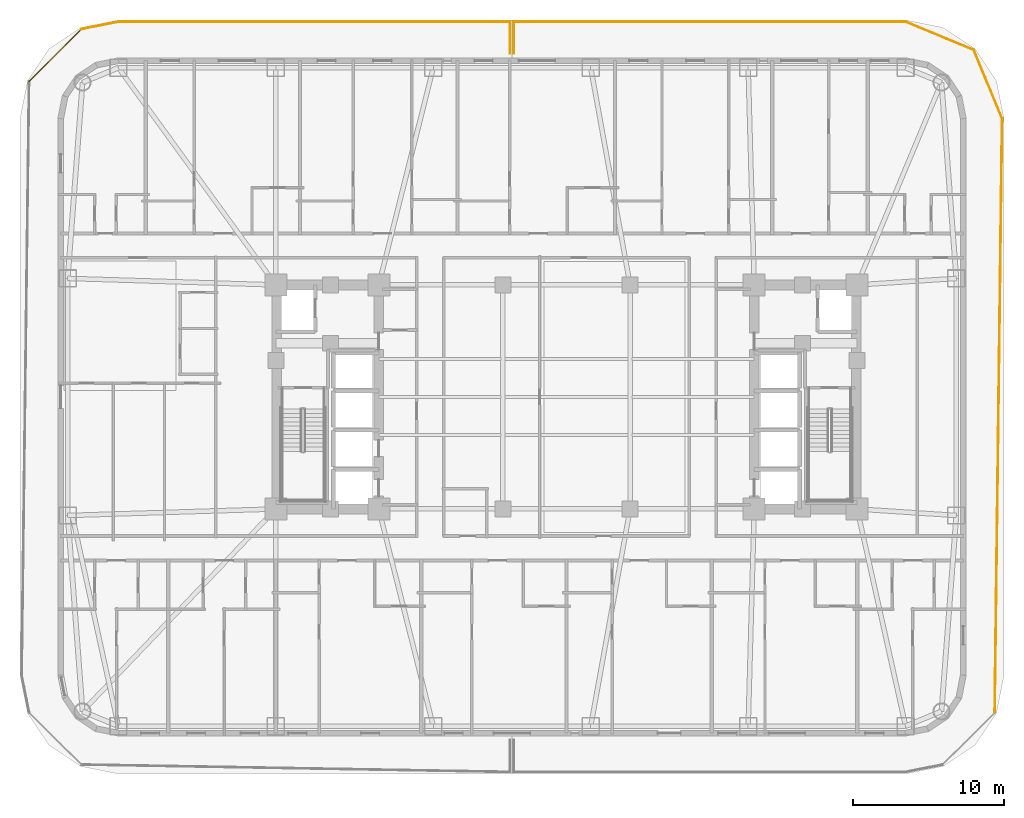
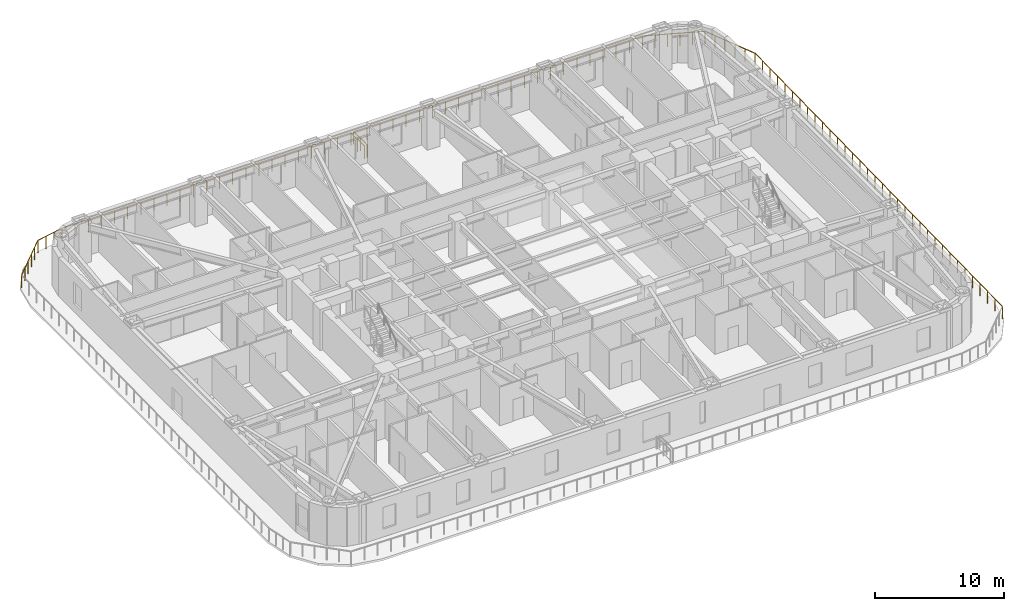
# One storey, part 14 of 14: 9 railings.
"""IFC4 building model written with IfcOpenShell, lengths in metres."""

from ifc_helpers import new_model, si_unit, direction, frame, origin, origin_2d, place, context, subcontext, project, spatial, circle, extrude, material, type_object, element, save


model = new_model("IFC4")

# Units and contexts
model_context = context("Model", 3, precision=1e-05, world=origin(), true_north=direction((0.0, 1.0)))
body_context = subcontext(model_context, "Body", "Model", "MODEL_VIEW")
ifc_project = project(units=[si_unit("LENGTHUNIT", "METRE"), si_unit("AREAUNIT", "SQUARE_METRE"), si_unit("VOLUMEUNIT", "CUBIC_METRE"), si_unit("PLANEANGLEUNIT", "RADIAN"), si_unit("MASSUNIT", "GRAM", prefix="KILO")], contexts=[model_context])

# Site, building, storey
site_placement = place(None, origin())
site = spatial("IfcSite", under=ifc_project, at=site_placement, CompositionType="ELEMENT")
building_placement = place(site_placement, origin())
building = spatial("IfcBuilding", under=site, at=building_placement, Name="Voryun Gate Residences", CompositionType="ELEMENT")
storey_placement = place(building_placement, frame((0.0, 0.0, 53.300048828125)))
storey = spatial("IfcBuildingStorey", under=building, at=storey_placement, Name="L12", CompositionType="ELEMENT", Elevation=53.300048828125)

# Railings
ifc_material = material(Name="Anodised aluminium", Category="aluminium")
railing_type = type_object("IfcRailingType", Name="RAIL_BALCONY_GUARD_1200", PredefinedType="GUARDRAIL", material=ifc_material)
railing_1_placement = place(storey_placement, frame((-35.4921875, 20.840576171875, 0.0)))
element("IfcRailing", 1, at=railing_1_placement, inside=storey, type_object=railing_type, Name="Terrace guard RL-L12-P1L1-04", PredefinedType="GUARDRAIL", context=body_context, shape_type="SweptSolid", body=[
    extrude(circle(Radius=0.02392578125, at=origin_2d()), frame((0.0, 0.0, 1.17578125), z_axis=(0.707106781187, 0.707106781187, 0.0), x_axis=(-0.707106781187, 0.707106781187, 0.0)), (0.0, 0.0, 1.0), 4.88134765625),
    extrude(circle(Radius=0.02099609375, at=origin_2d()), origin(), (0.0, 0.0, 1.0), 1.15185546875),
    extrude(circle(Radius=0.02099609375, at=origin_2d()), frame((0.6904296875, 0.6904296875, 0.0)), (0.0, 0.0, 1.0), 1.15185546875),
    extrude(circle(Radius=0.02099609375, at=origin_2d()), frame((1.380615234375, 1.380615234375, 0.0)), (0.0, 0.0, 1.0), 1.15185546875),
    extrude(circle(Radius=0.02099609375, at=origin_2d()), frame((2.071044921875, 2.071044921875, 0.0)), (0.0, 0.0, 1.0), 1.15185546875),
    extrude(circle(Radius=0.02099609375, at=origin_2d()), frame((2.76123046875, 2.76123046875, 0.0)), (0.0, 0.0, 1.0), 1.15185546875),
    extrude(circle(Radius=0.02099609375, at=origin_2d()), frame((3.45166015625, 3.45166015625, 0.0)), (0.0, 0.0, 1.0), 1.15185546875),
])
railing_2_placement = place(storey_placement, frame((-32.04052734375, 24.292236328125, 0.0)))
element("IfcRailing", 2, at=railing_2_placement, inside=storey, type_object=railing_type, Name="Terrace guard RL-L12-P1L1-05", PredefinedType="GUARDRAIL", context=body_context, shape_type="SweptSolid", body=[
    extrude(circle(Radius=0.02392578125, at=origin_2d()), frame((0.0, 0.0, 1.17578125), z_axis=(0.980786676525, 0.195083303106, 0.0), x_axis=(-0.195083303106, 0.980786676525, 0.0)), (0.0, 0.0, 1.0), 2.50048828125),
    extrude(circle(Radius=0.02099609375, at=origin_2d()), origin(), (0.0, 0.0, 1.0), 1.15185546875),
    extrude(circle(Radius=0.02099609375, at=origin_2d()), frame((0.8173828125, 0.16259765625, 0.0)), (0.0, 0.0, 1.0), 1.15185546875),
    extrude(circle(Radius=0.02099609375, at=origin_2d()), frame((1.635009765625, 0.3251953125, 0.0)), (0.0, 0.0, 1.0), 1.15185546875),
    extrude(circle(Radius=0.02099609375, at=origin_2d()), frame((2.452392578125, 0.48779296875, 0.0)), (0.0, 0.0, 1.0), 1.15185546875),
])
railing_3_placement = place(storey_placement, frame((-29.588134765625, 24.780029296875, 0.0)))
element("IfcRailing", 3, at=railing_3_placement, inside=storey, type_object=railing_type, Name="Terrace guard RL-L12-P1L1-06", PredefinedType="GUARDRAIL", context=body_context, shape_type="SweptSolid", body=[
    extrude(circle(Radius=0.02392578125, at=origin_2d()), frame((0.0, 0.0, 1.17578125), z_axis=(1.0, 0.0, 0.0), x_axis=(0.0, 1.0, 0.0)), (0.0, 0.0, 1.0), 25.858154296875),
    extrude(circle(Radius=0.02099609375, at=origin_2d()), origin(), (0.0, 0.0, 1.0), 1.15185546875),
    extrude(circle(Radius=0.02099609375, at=origin_2d()), frame((1.17529296875, 0.0, 0.0)), (0.0, 0.0, 1.0), 1.15185546875),
    extrude(circle(Radius=0.02099609375, at=origin_2d()), frame((2.350830078125, 0.0, 0.0)), (0.0, 0.0, 1.0), 1.15185546875),
    extrude(circle(Radius=0.02099609375, at=origin_2d()), frame((3.526123046875, 0.0, 0.0)), (0.0, 0.0, 1.0), 1.15185546875),
    extrude(circle(Radius=0.02099609375, at=origin_2d()), frame((4.701416015625, 0.0, 0.0)), (0.0, 0.0, 1.0), 1.15185546875),
    extrude(circle(Radius=0.02099609375, at=origin_2d()), frame((5.876953125, 0.0, 0.0)), (0.0, 0.0, 1.0), 1.15185546875),
    extrude(circle(Radius=0.02099609375, at=origin_2d()), frame((7.05224609375, 0.0, 0.0)), (0.0, 0.0, 1.0), 1.15185546875),
    extrude(circle(Radius=0.02099609375, at=origin_2d()), frame((8.2275390625, 0.0, 0.0)), (0.0, 0.0, 1.0), 1.15185546875),
    extrude(circle(Radius=0.02099609375, at=origin_2d()), frame((9.403076171875, 0.0, 0.0)), (0.0, 0.0, 1.0), 1.15185546875),
    extrude(circle(Radius=0.02099609375, at=origin_2d()), frame((10.578369140625, 0.0, 0.0)), (0.0, 0.0, 1.0), 1.15185546875),
    extrude(circle(Radius=0.02099609375, at=origin_2d()), frame((11.753662109375, 0.0, 0.0)), (0.0, 0.0, 1.0), 1.15185546875),
    extrude(circle(Radius=0.02099609375, at=origin_2d()), frame((12.92919921875, 0.0, 0.0)), (0.0, 0.0, 1.0), 1.15185546875),
    extrude(circle(Radius=0.02099609375, at=origin_2d()), frame((14.1044921875, 0.0, 0.0)), (0.0, 0.0, 1.0), 1.15185546875),
    extrude(circle(Radius=0.02099609375, at=origin_2d()), frame((15.27978515625, 0.0, 0.0)), (0.0, 0.0, 1.0), 1.15185546875),
    extrude(circle(Radius=0.02099609375, at=origin_2d()), frame((16.455078125, 0.0, 0.0)), (0.0, 0.0, 1.0), 1.15185546875),
    extrude(circle(Radius=0.02099609375, at=origin_2d()), frame((17.630615234375, 0.0, 0.0)), (0.0, 0.0, 1.0), 1.15185546875),
    extrude(circle(Radius=0.02099609375, at=origin_2d()), frame((18.805908203125, 0.0, 0.0)), (0.0, 0.0, 1.0), 1.15185546875),
    extrude(circle(Radius=0.02099609375, at=origin_2d()), frame((19.981201171875, 0.0, 0.0)), (0.0, 0.0, 1.0), 1.15185546875),
    extrude(circle(Radius=0.02099609375, at=origin_2d()), frame((21.15673828125, 0.0, 0.0)), (0.0, 0.0, 1.0), 1.15185546875),
    extrude(circle(Radius=0.02099609375, at=origin_2d()), frame((22.33203125, 0.0, 0.0)), (0.0, 0.0, 1.0), 1.15185546875),
    extrude(circle(Radius=0.02099609375, at=origin_2d()), frame((23.50732421875, 0.0, 0.0)), (0.0, 0.0, 1.0), 1.15185546875),
    extrude(circle(Radius=0.02099609375, at=origin_2d()), frame((24.682861328125, 0.0, 0.0)), (0.0, 0.0, 1.0), 1.15185546875),
    extrude(circle(Radius=0.02099609375, at=origin_2d()), frame((25.858154296875, 0.0, 0.0)), (0.0, 0.0, 1.0), 1.15185546875),
])
railing_4_placement = place(storey_placement, frame((-3.72998046875, 24.780029296875, 0.0)))
element("IfcRailing", 4, at=railing_4_placement, inside=storey, type_object=railing_type, Name="Terrace guard RL-L12-P1L1-07", PredefinedType="GUARDRAIL", context=body_context, shape_type="SweptSolid", body=[
    extrude(circle(Radius=0.02392578125, at=origin_2d()), frame((0.0, 0.0, 1.17578125), z_axis=(0.0, -1.0, 0.0), x_axis=(1.0, 0.0, 0.0)), (0.0, 0.0, 1.0), 2.10009765625),
    extrude(circle(Radius=0.02099609375, at=origin_2d()), origin(), (0.0, 0.0, 1.0), 1.15185546875),
    extrude(circle(Radius=0.02099609375, at=origin_2d()), frame((0.0, -1.050048828125, 0.0)), (0.0, 0.0, 1.0), 1.15185546875),
    extrude(circle(Radius=0.02099609375, at=origin_2d()), frame((0.0, -2.10009765625, 0.0)), (0.0, 0.0, 1.0), 1.15185546875),
])
railing_5_placement = place(storey_placement, frame((22.38818359375, 24.780029296875, 0.0)))
element("IfcRailing", 5, at=railing_5_placement, inside=storey, type_object=railing_type, Name="Terrace guard RL-L12-P2L1-01", PredefinedType="GUARDRAIL", context=body_context, shape_type="SweptSolid", body=[
    extrude(circle(Radius=0.02392578125, at=origin_2d()), frame((0.0, 0.0, 1.17578125), z_axis=(0.924059984658, -0.382247491494, 0.0), x_axis=(0.382247491494, 0.924059984658, 0.0)), (0.0, 0.0, 1.0), 4.89306640625),
    extrude(circle(Radius=0.02099609375, at=origin_2d()), origin(), (0.0, 0.0, 1.0), 1.15185546875),
    extrude(circle(Radius=0.02099609375, at=origin_2d()), frame((0.904296875, -0.3740234375, 0.0)), (0.0, 0.0, 1.0), 1.15185546875),
    extrude(circle(Radius=0.02099609375, at=origin_2d()), frame((1.80859375, -0.748046875, 0.0)), (0.0, 0.0, 1.0), 1.15185546875),
    extrude(circle(Radius=0.02099609375, at=origin_2d()), frame((2.712890625, -1.122314453125, 0.0)), (0.0, 0.0, 1.0), 1.15185546875),
    extrude(circle(Radius=0.02099609375, at=origin_2d()), frame((3.6171875, -1.496337890625, 0.0)), (0.0, 0.0, 1.0), 1.15185546875),
    extrude(circle(Radius=0.02099609375, at=origin_2d()), frame((4.521484375, -1.870361328125, 0.0)), (0.0, 0.0, 1.0), 1.15185546875),
])
railing_6_placement = place(storey_placement, frame((26.90966796875, 22.90966796875, 0.0)))
element("IfcRailing", 6, at=railing_6_placement, inside=storey, type_object=railing_type, Name="Terrace guard RL-L12-P2L1-02", PredefinedType="GUARDRAIL", context=body_context, shape_type="SweptSolid", body=[
    extrude(circle(Radius=0.02392578125, at=origin_2d()), frame((0.0, 0.0, 1.17578125), z_axis=(0.382247491494, -0.924059984658, 0.0), x_axis=(0.924059984658, 0.382247491494, 0.0)), (0.0, 0.0, 1.0), 4.89306640625),
    extrude(circle(Radius=0.02099609375, at=origin_2d()), origin(), (0.0, 0.0, 1.0), 1.15185546875),
    extrude(circle(Radius=0.02099609375, at=origin_2d()), frame((0.3740234375, -0.904296875, 0.0)), (0.0, 0.0, 1.0), 1.15185546875),
    extrude(circle(Radius=0.02099609375, at=origin_2d()), frame((0.748046875, -1.80859375, 0.0)), (0.0, 0.0, 1.0), 1.15185546875),
    extrude(circle(Radius=0.02099609375, at=origin_2d()), frame((1.122314453125, -2.712890625, 0.0)), (0.0, 0.0, 1.0), 1.15185546875),
    extrude(circle(Radius=0.02099609375, at=origin_2d()), frame((1.496337890625, -3.6171875, 0.0)), (0.0, 0.0, 1.0), 1.15185546875),
    extrude(circle(Radius=0.02099609375, at=origin_2d()), frame((1.870361328125, -4.521484375, 0.0)), (0.0, 0.0, 1.0), 1.15185546875),
])
railing_7_placement = place(storey_placement, frame((28.780029296875, 18.38818359375, 0.0)))
element("IfcRailing", 7, at=railing_7_placement, inside=storey, type_object=railing_type, Name="Terrace guard RL-L12-P2L1-03", PredefinedType="GUARDRAIL", context=body_context, shape_type="SweptSolid", body=[
    extrude(circle(Radius=0.02392578125, at=origin_2d()), frame((0.0, 0.0, 1.17578125), z_axis=(-0.012433614141, -0.999922699632, 0.0), x_axis=(0.999922699632, -0.012433614141, 0.0)), (0.0, 0.0, 1.0), 39.231689453125),
    extrude(circle(Radius=0.02099609375, at=origin_2d()), origin(), (0.0, 0.0, 1.0), 1.15185546875),
    extrude(circle(Radius=0.02099609375, at=origin_2d()), frame((-0.014892578125, -1.188720703125, 0.0)), (0.0, 0.0, 1.0), 1.15185546875),
    extrude(circle(Radius=0.02099609375, at=origin_2d()), frame((-0.029541015625, -2.37744140625, 0.0)), (0.0, 0.0, 1.0), 1.15185546875),
    extrude(circle(Radius=0.02099609375, at=origin_2d()), frame((-0.04443359375, -3.566162109375, 0.0)), (0.0, 0.0, 1.0), 1.15185546875),
    extrude(circle(Radius=0.02099609375, at=origin_2d()), frame((-0.05908203125, -4.7548828125, 0.0)), (0.0, 0.0, 1.0), 1.15185546875),
    extrude(circle(Radius=0.02099609375, at=origin_2d()), frame((-0.073974609375, -5.94384765625, 0.0)), (0.0, 0.0, 1.0), 1.15185546875),
    extrude(circle(Radius=0.02099609375, at=origin_2d()), frame((-0.088623046875, -7.132568359375, 0.0)), (0.0, 0.0, 1.0), 1.15185546875),
    extrude(circle(Radius=0.02099609375, at=origin_2d()), frame((-0.103515625, -8.3212890625, 0.0)), (0.0, 0.0, 1.0), 1.15185546875),
    extrude(circle(Radius=0.02099609375, at=origin_2d()), frame((-0.1181640625, -9.510009765625, 0.0)), (0.0, 0.0, 1.0), 1.15185546875),
    extrude(circle(Radius=0.02099609375, at=origin_2d()), frame((-0.133056640625, -10.69873046875, 0.0)), (0.0, 0.0, 1.0), 1.15185546875),
    extrude(circle(Radius=0.02099609375, at=origin_2d()), frame((-0.147705078125, -11.887451171875, 0.0)), (0.0, 0.0, 1.0), 1.15185546875),
    extrude(circle(Radius=0.02099609375, at=origin_2d()), frame((-0.16259765625, -13.076171875, 0.0)), (0.0, 0.0, 1.0), 1.15185546875),
    extrude(circle(Radius=0.02099609375, at=origin_2d()), frame((-0.177490234375, -14.264892578125, 0.0)), (0.0, 0.0, 1.0), 1.15185546875),
    extrude(circle(Radius=0.02099609375, at=origin_2d()), frame((-0.192138671875, -15.453857421875, 0.0)), (0.0, 0.0, 1.0), 1.15185546875),
    extrude(circle(Radius=0.02099609375, at=origin_2d()), frame((-0.20703125, -16.642578125, 0.0)), (0.0, 0.0, 1.0), 1.15185546875),
    extrude(circle(Radius=0.02099609375, at=origin_2d()), frame((-0.2216796875, -17.831298828125, 0.0)), (0.0, 0.0, 1.0), 1.15185546875),
    extrude(circle(Radius=0.02099609375, at=origin_2d()), frame((-0.236572265625, -19.02001953125, 0.0)), (0.0, 0.0, 1.0), 1.15185546875),
    extrude(circle(Radius=0.02099609375, at=origin_2d()), frame((-0.251220703125, -20.208740234375, 0.0)), (0.0, 0.0, 1.0), 1.15185546875),
    extrude(circle(Radius=0.02099609375, at=origin_2d()), frame((-0.26611328125, -21.3974609375, 0.0)), (0.0, 0.0, 1.0), 1.15185546875),
    extrude(circle(Radius=0.02099609375, at=origin_2d()), frame((-0.28076171875, -22.586181640625, 0.0)), (0.0, 0.0, 1.0), 1.15185546875),
    extrude(circle(Radius=0.02099609375, at=origin_2d()), frame((-0.295654296875, -23.77490234375, 0.0)), (0.0, 0.0, 1.0), 1.15185546875),
    extrude(circle(Radius=0.02099609375, at=origin_2d()), frame((-0.310302734375, -24.9638671875, 0.0)), (0.0, 0.0, 1.0), 1.15185546875),
    extrude(circle(Radius=0.02099609375, at=origin_2d()), frame((-0.3251953125, -26.152587890625, 0.0)), (0.0, 0.0, 1.0), 1.15185546875),
    extrude(circle(Radius=0.02099609375, at=origin_2d()), frame((-0.340087890625, -27.34130859375, 0.0)), (0.0, 0.0, 1.0), 1.15185546875),
    extrude(circle(Radius=0.02099609375, at=origin_2d()), frame((-0.354736328125, -28.530029296875, 0.0)), (0.0, 0.0, 1.0), 1.15185546875),
    extrude(circle(Radius=0.02099609375, at=origin_2d()), frame((-0.36962890625, -29.71875, 0.0)), (0.0, 0.0, 1.0), 1.15185546875),
    extrude(circle(Radius=0.02099609375, at=origin_2d()), frame((-0.38427734375, -30.907470703125, 0.0)), (0.0, 0.0, 1.0), 1.15185546875),
    extrude(circle(Radius=0.02099609375, at=origin_2d()), frame((-0.399169921875, -32.09619140625, 0.0)), (0.0, 0.0, 1.0), 1.15185546875),
    extrude(circle(Radius=0.02099609375, at=origin_2d()), frame((-0.413818359375, -33.284912109375, 0.0)), (0.0, 0.0, 1.0), 1.15185546875),
    extrude(circle(Radius=0.02099609375, at=origin_2d()), frame((-0.4287109375, -34.473876953125, 0.0)), (0.0, 0.0, 1.0), 1.15185546875),
    extrude(circle(Radius=0.02099609375, at=origin_2d()), frame((-0.443359375, -35.66259765625, 0.0)), (0.0, 0.0, 1.0), 1.15185546875),
    extrude(circle(Radius=0.02099609375, at=origin_2d()), frame((-0.458251953125, -36.851318359375, 0.0)), (0.0, 0.0, 1.0), 1.15185546875),
    extrude(circle(Radius=0.02099609375, at=origin_2d()), frame((-0.472900390625, -38.0400390625, 0.0)), (0.0, 0.0, 1.0), 1.15185546875),
    extrude(circle(Radius=0.02099609375, at=origin_2d()), frame((-0.48779296875, -39.228759765625, 0.0)), (0.0, 0.0, 1.0), 1.15185546875),
])
railing_8_placement = place(storey_placement, frame((-3.469970703125, 22.679931640625, 0.0)))
element("IfcRailing", 8, at=railing_8_placement, inside=storey, type_object=railing_type, Name="Terrace guard RL-L12-P2L2-01", PredefinedType="GUARDRAIL", context=body_context, shape_type="SweptSolid", body=[
    extrude(circle(Radius=0.02392578125, at=origin_2d()), frame((0.0, 0.0, 1.17578125), z_axis=(0.0, 1.0, 0.0), x_axis=(-1.0, 0.0, 0.0)), (0.0, 0.0, 1.0), 2.10009765625),
    extrude(circle(Radius=0.02099609375, at=origin_2d()), origin(), (0.0, 0.0, 1.0), 1.15185546875),
    extrude(circle(Radius=0.02099609375, at=origin_2d()), frame((0.0, 1.050048828125, 0.0)), (0.0, 0.0, 1.0), 1.15185546875),
    extrude(circle(Radius=0.02099609375, at=origin_2d()), frame((0.0, 2.10009765625, 0.0)), (0.0, 0.0, 1.0), 1.15185546875),
])
railing_9_placement = place(storey_placement, frame((-3.469970703125, 24.780029296875, 0.0)))
element("IfcRailing", 9, at=railing_9_placement, inside=storey, type_object=railing_type, Name="Terrace guard RL-L12-P2L2-02", PredefinedType="GUARDRAIL", context=body_context, shape_type="SweptSolid", body=[
    extrude(circle(Radius=0.02392578125, at=origin_2d()), frame((0.0, 0.0, 1.17578125), z_axis=(1.0, 0.0, 0.0), x_axis=(0.0, 1.0, 0.0)), (0.0, 0.0, 1.0), 25.858154296875),
    extrude(circle(Radius=0.02099609375, at=origin_2d()), origin(), (0.0, 0.0, 1.0), 1.15185546875),
    extrude(circle(Radius=0.02099609375, at=origin_2d()), frame((1.17529296875, 0.0, 0.0)), (0.0, 0.0, 1.0), 1.15185546875),
    extrude(circle(Radius=0.02099609375, at=origin_2d()), frame((2.350830078125, 0.0, 0.0)), (0.0, 0.0, 1.0), 1.15185546875),
    extrude(circle(Radius=0.02099609375, at=origin_2d()), frame((3.526123046875, 0.0, 0.0)), (0.0, 0.0, 1.0), 1.15185546875),
    extrude(circle(Radius=0.02099609375, at=origin_2d()), frame((4.701416015625, 0.0, 0.0)), (0.0, 0.0, 1.0), 1.15185546875),
    extrude(circle(Radius=0.02099609375, at=origin_2d()), frame((5.876953125, 0.0, 0.0)), (0.0, 0.0, 1.0), 1.15185546875),
    extrude(circle(Radius=0.02099609375, at=origin_2d()), frame((7.05224609375, 0.0, 0.0)), (0.0, 0.0, 1.0), 1.15185546875),
    extrude(circle(Radius=0.02099609375, at=origin_2d()), frame((8.2275390625, 0.0, 0.0)), (0.0, 0.0, 1.0), 1.15185546875),
    extrude(circle(Radius=0.02099609375, at=origin_2d()), frame((9.403076171875, 0.0, 0.0)), (0.0, 0.0, 1.0), 1.15185546875),
    extrude(circle(Radius=0.02099609375, at=origin_2d()), frame((10.578369140625, 0.0, 0.0)), (0.0, 0.0, 1.0), 1.15185546875),
    extrude(circle(Radius=0.02099609375, at=origin_2d()), frame((11.753662109375, 0.0, 0.0)), (0.0, 0.0, 1.0), 1.15185546875),
    extrude(circle(Radius=0.02099609375, at=origin_2d()), frame((12.92919921875, 0.0, 0.0)), (0.0, 0.0, 1.0), 1.15185546875),
    extrude(circle(Radius=0.02099609375, at=origin_2d()), frame((14.1044921875, 0.0, 0.0)), (0.0, 0.0, 1.0), 1.15185546875),
    extrude(circle(Radius=0.02099609375, at=origin_2d()), frame((15.27978515625, 0.0, 0.0)), (0.0, 0.0, 1.0), 1.15185546875),
    extrude(circle(Radius=0.02099609375, at=origin_2d()), frame((16.455078125, 0.0, 0.0)), (0.0, 0.0, 1.0), 1.15185546875),
    extrude(circle(Radius=0.02099609375, at=origin_2d()), frame((17.630615234375, 0.0, 0.0)), (0.0, 0.0, 1.0), 1.15185546875),
    extrude(circle(Radius=0.02099609375, at=origin_2d()), frame((18.805908203125, 0.0, 0.0)), (0.0, 0.0, 1.0), 1.15185546875),
    extrude(circle(Radius=0.02099609375, at=origin_2d()), frame((19.981201171875, 0.0, 0.0)), (0.0, 0.0, 1.0), 1.15185546875),
    extrude(circle(Radius=0.02099609375, at=origin_2d()), frame((21.15673828125, 0.0, 0.0)), (0.0, 0.0, 1.0), 1.15185546875),
    extrude(circle(Radius=0.02099609375, at=origin_2d()), frame((22.33203125, 0.0, 0.0)), (0.0, 0.0, 1.0), 1.15185546875),
    extrude(circle(Radius=0.02099609375, at=origin_2d()), frame((23.50732421875, 0.0, 0.0)), (0.0, 0.0, 1.0), 1.15185546875),
    extrude(circle(Radius=0.02099609375, at=origin_2d()), frame((24.682861328125, 0.0, 0.0)), (0.0, 0.0, 1.0), 1.15185546875),
    extrude(circle(Radius=0.02099609375, at=origin_2d()), frame((25.858154296875, 0.0, 0.0)), (0.0, 0.0, 1.0), 1.15185546875),
])

save(model, "model.ifc")
